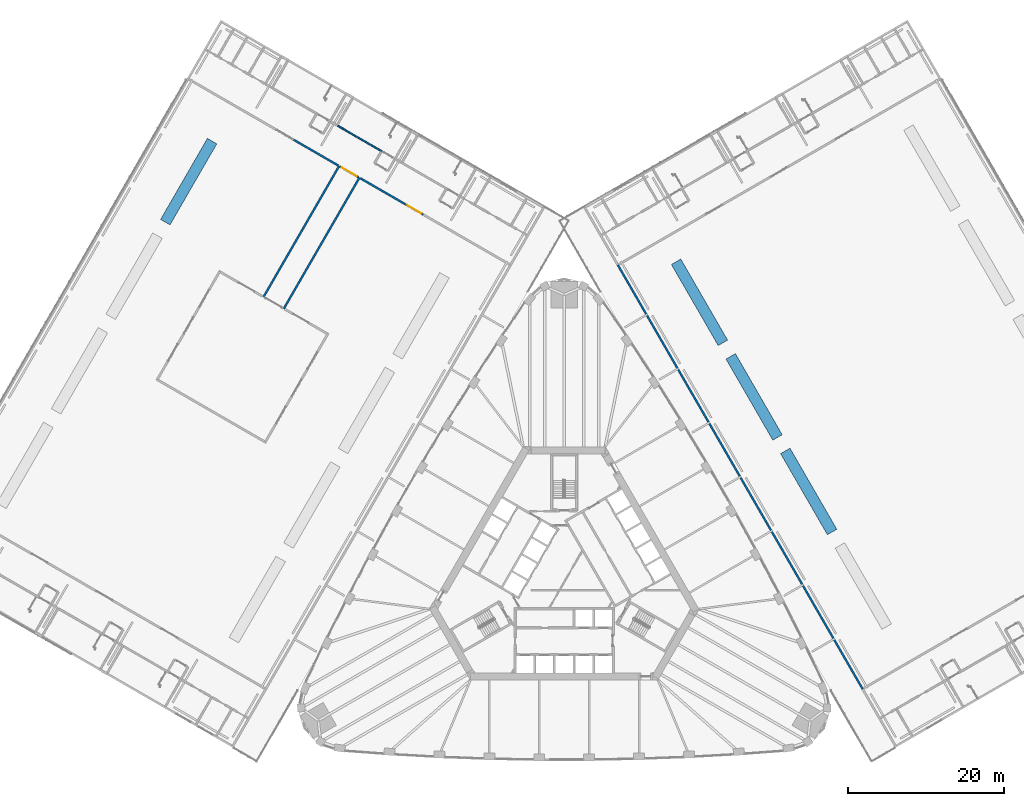
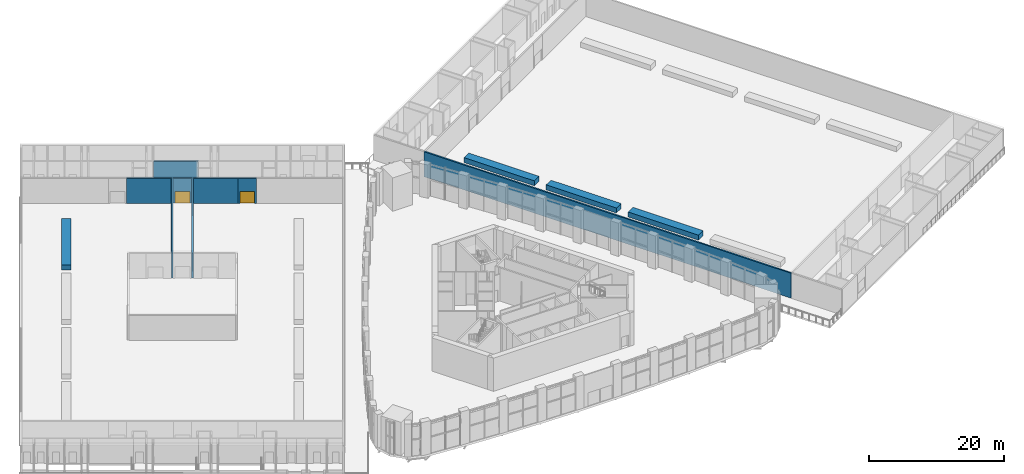
# One storey, part 29 of 41: 12 walls, 2 doors, 2 openings.
"""IFC4 building model written with IfcOpenShell, lengths in metres."""

import ifcopenshell
import ifcopenshell.guid

model = None  # the IFC model being written
_history = None  # IfcOwnerHistory: only IFC2X3 demands one
_inside = {}  # id of a spatial element -> (the spatial element, [elements in it])
_under = {}  # id of a project, library or spatial element -> (it, [spatial elements below it])
_declared = {}  # id of a project -> (the project, [libraries it declares])
_typed = {}  # id of a type object -> (the type object, [elements of that type])
_made_of = {}  # id of a material, layer set ... -> (it, [elements and type objects made of it])


def new_model(schema):
    """Start an empty IFC model of exactly this schema.

    Asked for "IFC4X3", IfcOpenShell would pick the latest addendum, in which some entities
    have other attributes; the version numbers below select the first issue.
    IFC2X3 requires an IfcOwnerHistory on every rooted entity: one is made here for all.
    """
    global model, _history
    if schema == "IFC4X3":
        model = ifcopenshell.file(schema_version=(4, 3, 0, 0))
    else:
        model = ifcopenshell.file(schema=schema)
    _inside.clear()
    _under.clear()
    _declared.clear()
    _typed.clear()
    _made_of.clear()
    _history = None
    if model.schema == "IFC2X3":
        org = make("IfcOrganization", Name="unknown")
        user = make(
            "IfcPersonAndOrganization",
            ThePerson=make("IfcPerson", FamilyName="unknown"),
            TheOrganization=org,
        )
        app = make(
            "IfcApplication",
            ApplicationDeveloper=org,
            Version="unknown",
            ApplicationFullName="unknown",
            ApplicationIdentifier="unknown",
        )
        _history = make(
            "IfcOwnerHistory",
            OwningUser=user,
            OwningApplication=app,
            ChangeAction="ADDED",
            CreationDate=0,
        )
    return model


def make(cls, **values):
    """One entity of the class cls with the attributes given. An attribute that is None is left unset."""
    return model.create_entity(
        cls, **{name: value for name, value in values.items() if value is not None}
    )


def rooted(cls, **values):
    """An entity with a GlobalId (a new one), such as an element, a storey or a relation."""
    return make(cls, GlobalId=ifcopenshell.guid.new(), OwnerHistory=_history, **values)


def si_unit(unit_type, name, prefix=None):
    """IfcSIUnit, for example si_unit("LENGTHUNIT", "METRE", prefix="MILLI")."""
    return make("IfcSIUnit", UnitType=unit_type, Prefix=prefix, Name=name)


def assignment(units):
    """IfcUnitAssignment: the units of a project."""
    return None if units is None else make("IfcUnitAssignment", Units=units)


def point(xyz):
    """IfcCartesianPoint."""
    return None if xyz is None else make("IfcCartesianPoint", Coordinates=xyz)


def direction(xyz):
    """IfcDirection."""
    return None if xyz is None else make("IfcDirection", DirectionRatios=xyz)


def frame(location, z_axis=None, x_axis=None):
    """IfcAxis2Placement3D, a coordinate frame: its origin and axes. An axis left out is left unset."""
    return make(
        "IfcAxis2Placement3D",
        Location=point(location),
        Axis=direction(z_axis),
        RefDirection=direction(x_axis),
    )


def frame_2d(location, x_axis=None):
    """IfcAxis2Placement2D, a coordinate frame in the plane: its origin and x axis."""
    return make(
        "IfcAxis2Placement2D", Location=point(location), RefDirection=direction(x_axis)
    )


def origin():
    """The frame at (0, 0, 0) with its axes left unset."""
    return frame((0.0, 0.0, 0.0))


def place(relative_to, where):
    """IfcLocalPlacement: puts the frame where relative to a parent placement (None: the world)."""
    return make(
        "IfcLocalPlacement", PlacementRelTo=relative_to, RelativePlacement=where
    )


def context(
    kind, dimensions, precision=None, world=None, true_north=None, identifier=None
):
    """IfcGeometricRepresentationContext, for example the 3D "Model" context."""
    return make(
        "IfcGeometricRepresentationContext",
        ContextIdentifier=identifier,
        ContextType=kind,
        CoordinateSpaceDimension=dimensions,
        Precision=precision,
        WorldCoordinateSystem=world,
        TrueNorth=true_north,
    )


def subcontext(parent, identifier, kind, view, scale=None):
    """IfcGeometricRepresentationSubContext, for example "Body" below "Model"."""
    return make(
        "IfcGeometricRepresentationSubContext",
        ContextIdentifier=identifier,
        ContextType=kind,
        ParentContext=parent,
        TargetScale=scale,
        TargetView=view,
    )


def project(units=None, contexts=None):
    """IfcProject with its units and contexts."""
    return rooted(
        "IfcProject",
        Name="project",
        RepresentationContexts=contexts,
        UnitsInContext=assignment(units),
    )


def spatial(cls, under=None, at=None, **own):
    """A site, building, storey or space (cls), placed at a placement, below another one or the project."""
    s = rooted(cls, ObjectPlacement=at, **own)
    if under is not None:
        _under.setdefault(under.id(), (under, []))[1].append(s)
    return s


def profile(cls, at=None, kind="AREA", **sizes):
    """A parametric profile (cls). Its sizes go by their IFC names, for example OverallWidth=200.0."""
    return make(cls, ProfileType=kind, Position=at, **sizes)


def rectangle(**sizes):
    """IfcRectangleProfileDef."""
    return profile("IfcRectangleProfileDef", **sizes)


def extrude(swept, where, along, depth):
    """IfcExtrudedAreaSolid: the profile swept, set in the frame where, extruded along a direction by depth."""
    return make(
        "IfcExtrudedAreaSolid",
        SweptArea=swept,
        Position=where,
        ExtrudedDirection=direction(along),
        Depth=depth,
    )


def shape(context_of_items, identifier, shape_type, items):
    """IfcShapeRepresentation: the items that make up one representation, for example the "Body"."""
    return make(
        "IfcShapeRepresentation",
        ContextOfItems=context_of_items,
        RepresentationIdentifier=identifier,
        RepresentationType=shape_type,
        Items=items,
    )


def material(Name=None, Category=None):
    """IfcMaterial."""
    return make("IfcMaterial", Name=Name, Category=Category)


def layer(
    of_material, thickness, ventilated=None, Name=None, Category=None, Priority=None
):
    """IfcMaterialLayer: one layer of a wall or slab, of a material (None: an air gap)."""
    return make(
        "IfcMaterialLayer",
        Material=of_material,
        LayerThickness=thickness,
        IsVentilated=ventilated,
        Name=Name,
        Category=Category,
        Priority=Priority,
    )


def layer_set(layers, Name=None):
    """IfcMaterialLayerSet."""
    return make("IfcMaterialLayerSet", MaterialLayers=layers, LayerSetName=Name)


def made_of(thing, what):
    """Note that an element or type object is made of a material, layer set ...; save() writes the relation."""
    if what is not None:
        _made_of.setdefault(what.id(), (what, []))[1].append(thing)
    return thing


def type_object(cls, material=None, **own):
    """A type object (cls), such as IfcWallType, which elements share."""
    return made_of(rooted(cls, **own), material)


def element(
    cls,
    number,
    at=None,
    inside=None,
    cuts=None,
    type_object=None,
    material=None,
    context=None,
    identifier="Body",
    shape_type=None,
    held_by="IfcProductDefinitionShape",
    body=None,
    shapes=None,
    **own,
):
    """One element of the class cls, such as IfcWall. Its Tag is "e" and its number.

    at: its placement. inside: the storey or other place that contains it. cuts: it is an
    opening in that element (IfcRelVoidsElement). A single representation is given by context,
    identifier, shape_type and body (its items); several are given by shapes. held_by: the class
    of the entity that holds the representations. save() writes the other relations.
    """
    e = rooted(cls, Tag="e%d" % number, ObjectPlacement=at, **own)
    if body is not None:
        shapes = [shape(context, identifier, shape_type, body)]
    if shapes is not None:
        e.Representation = make(held_by, Representations=shapes)
    if inside is not None:
        _inside.setdefault(inside.id(), (inside, []))[1].append(e)
    if cuts is not None:
        rooted(
            "IfcRelVoidsElement", RelatingBuildingElement=cuts, RelatedOpeningElement=e
        )
    if type_object is not None:
        _typed.setdefault(type_object.id(), (type_object, []))[1].append(e)
    return made_of(e, material)


def fill(opening, filler):
    """IfcRelFillsElement: the door or window that sits in an opening."""
    return rooted(
        "IfcRelFillsElement",
        RelatingOpeningElement=opening,
        RelatedBuildingElement=filler,
    )


def aggregate(whole, parts):
    """IfcRelAggregates: a whole, such as a stair, and the parts it consists of."""
    return rooted("IfcRelAggregates", RelatingObject=whole, RelatedObjects=parts)


def save(model, path):
    """Write the relations noted so far, then the file.

    IfcRelAggregates (storeys below a building ...), IfcRelContainedInSpatialStructure (elements
    in a storey), IfcRelDefinesByType, IfcRelAssociatesMaterial and IfcRelDeclares: one each for
    every whole, place, type object, material and project.
    """
    for whole, parts in _under.values():
        aggregate(whole, parts)
    for where, things in _inside.values():
        rooted(
            "IfcRelContainedInSpatialStructure",
            RelatedElements=things,
            RelatingStructure=where,
        )
    for kind, things in _typed.values():
        rooted("IfcRelDefinesByType", RelatedObjects=things, RelatingType=kind)
    for what, things in _made_of.values():
        rooted("IfcRelAssociatesMaterial", RelatedObjects=things, RelatingMaterial=what)
    for by, libraries in _declared.values():
        rooted("IfcRelDeclares", RelatingContext=by, RelatedDefinitions=libraries)
    model.write(path)


model = new_model("IFC4")

# Units and contexts
model_context = context("Model", 3, precision=1e-05, world=origin(), true_north=direction((0.0, 1.0)))
body_context = subcontext(model_context, "Body", "Model", "MODEL_VIEW")
ifc_project = project(units=[si_unit("LENGTHUNIT", "METRE"), si_unit("AREAUNIT", "SQUARE_METRE"), si_unit("VOLUMEUNIT", "CUBIC_METRE"), si_unit("PLANEANGLEUNIT", "RADIAN"), si_unit("MASSUNIT", "GRAM", prefix="KILO")], contexts=[model_context])

# Site, building, storey
site_placement = place(None, origin())
site = spatial("IfcSite", under=ifc_project, at=site_placement, CompositionType="ELEMENT")
building_placement = place(site_placement, origin())
building = spatial("IfcBuilding", under=site, at=building_placement, Name="Mestral Congress Tower", CompositionType="ELEMENT")
storey_placement = place(building_placement, frame((0.0, 0.0, 21.60009765625)))
storey = spatial("IfcBuildingStorey", under=building, at=storey_placement, Name="L04", CompositionType="ELEMENT", Elevation=21.60009765625)

# Walls
ifc_material_1 = material(Name="Precast concrete C40/50 with limestone facing", Category="masonry")
ifc_layer_1 = layer(ifc_material_1, 0.25)
ifc_layer_set_1 = layer_set([ifc_layer_1], Name="Precast concrete C40/50 with limestone facing")
wall_type_1 = type_object("IfcWallType", Name="Podium external wall 250 R 180 load-bearing to roof", PredefinedType="SOLIDWALL", material=ifc_layer_set_1)
wall_1_placement = place(storey_placement, frame((38.25, -14.14501953125, 0.0), z_axis=(0.0, 0.0, 1.0), x_axis=(-0.500000527961, 0.866025098966, 0.0)))
element("IfcWall", 1, at=wall_1_placement, inside=storey, type_object=wall_type_1, Name="L04 external wall", PredefinedType="SOLIDWALL", context=body_context, shape_type="SweptSolid", body=[
    extrude(rectangle(XDim=62.75, YDim=0.25, at=frame_2d((31.375, 0.0))), origin(), (0.0, 0.0, 1.0), 4.5),
])
for number, where, z_axis, x_axis, name in (
    (2, (-26.25244140625, 51.385498046875, 0.0), (0.0, 0.0, 1.0), (-0.499998778031, -0.866026109287, 0.0), "L04 external wall"),
    (3, (-38.537841796875, 36.106201171875, 0.0), (0.0, 0.0, 1.0), (0.499998778031, 0.866026109287, 0.0), "L04 external wall"),
):
    element("IfcWall", number, at=place(storey_placement, frame(where, z_axis=z_axis, x_axis=x_axis)), inside=storey, type_object=wall_type_1, Name=name, PredefinedType="SOLIDWALL", context=body_context, shape_type="SweptSolid", body=[
        extrude(rectangle(XDim=19.375, YDim=0.25, at=frame_2d((9.6875, 0.0))), origin(), (0.0, 0.0, 1.0), 4.5),
    ])

# Wall, opening, door
wall_2_placement = place(storey_placement, frame((-18.068359375, 46.660400390625, 0.0), z_axis=(0.0, 0.0, 1.0), x_axis=(-0.866019956843, 0.50000943426, 0.0)))
wall_2 = element("IfcWall", 4, at=wall_2_placement, inside=storey, type_object=wall_type_1, Name="L04 external wall", PredefinedType="SOLIDWALL", context=body_context, shape_type="SweptSolid", body=[
    extrude(rectangle(XDim=2.7001953125, YDim=0.25, at=frame_2d((1.35009765625, 0.0))), origin(), (0.0, 0.0, 1.0), 4.5),
])
opening_1_placement = place(wall_2_placement, frame((0.25, 0.0, 0.0)))
opening_1 = element("IfcOpeningElement", 5, at=opening_1_placement, cuts=wall_2, Name="Opening P04-301", PredefinedType="OPENING", context=body_context, shape_type="SweptSolid", body=[
    extrude(rectangle(XDim=2.199951171875, YDim=2.10009765625, at=frame_2d((1.10009765625, 1.050048828125))), frame((0.0, 0.135009765625, 0.0), z_axis=(0.0, -1.0, 0.0), x_axis=(1.0, 0.0, 0.0)), (0.0, 0.0, 1.0), 0.27001953125),
])
ifc_material_2 = material(Name="Steel and glass door set", Category="steel")
door_type_1 = type_object("IfcDoorType", Name="Podium entrance door 2200x2100", OperationType="DOUBLE_DOOR_SINGLE_SWING", PredefinedType="DOOR", material=ifc_material_2)
door_1_placement = place(opening_1_placement, origin())
door_1 = element("IfcDoor", 6, at=door_1_placement, inside=storey, type_object=door_type_1, Name="Door P04-301", OperationType="DOUBLE_DOOR_SINGLE_SWING", OverallHeight=2.10009765625, OverallWidth=2.199951171875, PredefinedType="DOOR", context=body_context, shape_type="SweptSolid", body=[
    extrude(rectangle(XDim=2.199951171875, YDim=2.10009765625, at=frame_2d((1.10009765625, 1.050048828125))), frame((0.0, 0.02490234375, 0.0), z_axis=(0.0, -1.0, 0.0), x_axis=(1.0, 0.0, 0.0)), (0.0, 0.0, 1.0), 0.050048828125),
])
fill(opening_1, door_1)

# Walls
for number, where, z_axis, x_axis, name in (
    (7, (-26.14404296875, 51.322998046875, 0.0), (0.0, 0.0, 1.0), (0.866021116422, -0.500007425856, 0.0), "L04 external wall"),
    (8, (-34.696044921875, 56.260498046875, 0.0), (0.0, 0.0, 1.0), (0.866021116422, -0.500007425856, 0.0), "L04 external wall"),
):
    element("IfcWall", number, at=place(storey_placement, frame(where, z_axis=z_axis, x_axis=x_axis)), inside=storey, type_object=wall_type_1, Name=name, PredefinedType="SOLIDWALL", context=body_context, shape_type="SweptSolid", body=[
        extrude(rectangle(XDim=6.625, YDim=0.25, at=frame_2d((3.3125, 0.0))), origin(), (0.0, 0.0, 1.0), 4.5),
    ])

# Wall, opening, door
ifc_material_3 = material(Name="Fire-rated board partition")
ifc_layer_2 = layer(ifc_material_3, 0.199951171875)
ifc_layer_set_2 = layer_set([ifc_layer_2], Name="Fire-rated board partition")
wall_type_2 = type_object("IfcWallType", Name="Podium partition 200 EI 120", PredefinedType="PARTITIONING", material=ifc_layer_set_2)
wall_3_placement = place(storey_placement, frame((-26.360595703125, 51.447998046875, 0.0), z_axis=(0.0, 0.0, 1.0), x_axis=(-0.866027397988, 0.499996545922, 0.0)))
wall_3 = element("IfcWall", 9, at=wall_3_placement, inside=storey, type_object=wall_type_2, Name="L04 partition", PredefinedType="PARTITIONING", context=body_context, shape_type="SweptSolid", body=[
    extrude(rectangle(XDim=2.75, YDim=0.199951171875, at=frame_2d((1.375, 0.0))), origin(), (0.0, 0.0, 1.0), 4.5),
])
opening_2_placement = place(wall_3_placement, frame((0.27490234375, 0.0, 0.0)))
opening_2 = element("IfcOpeningElement", 10, at=opening_2_placement, cuts=wall_3, Name="Opening P04-332", PredefinedType="OPENING", context=body_context, shape_type="SweptSolid", body=[
    extrude(rectangle(XDim=2.199951171875, YDim=2.10009765625, at=frame_2d((1.10009765625, 1.050048828125))), frame((0.0, 0.10986328125, 0.0), z_axis=(0.0, -1.0, 0.0), x_axis=(1.0, 0.0, 0.0)), (0.0, 0.0, 1.0), 0.219970703125),
])
ifc_material_4 = material(Name="Fire-rated steel door set", Category="steel")
door_type_2 = type_object("IfcDoorType", Name="Podium room door 2200x2100 EI2 30-C5", OperationType="DOUBLE_DOOR_SINGLE_SWING", PredefinedType="DOOR", material=ifc_material_4)
door_2_placement = place(opening_2_placement, origin())
door_2 = element("IfcDoor", 11, at=door_2_placement, inside=storey, type_object=door_type_2, Name="Door P04-332", OperationType="DOUBLE_DOOR_SINGLE_SWING", OverallHeight=2.10009765625, OverallWidth=2.199951171875, PredefinedType="DOOR", context=body_context, shape_type="SweptSolid", body=[
    extrude(rectangle(XDim=2.199951171875, YDim=2.10009765625, at=frame_2d((1.10009765625, 1.050048828125))), frame((0.0, 0.02490234375, 0.0), z_axis=(0.0, -1.0, 0.0), x_axis=(1.0, 0.0, 0.0)), (0.0, 0.0, 1.0), 0.050048828125),
])
fill(opening_2, door_2)

# Walls
ifc_material_5 = material(Name="Precast concrete C30/37 planter", Category="concrete")
ifc_layer_3 = layer(ifc_material_5, 1.39990234375)
ifc_layer_set_3 = layer_set([ifc_layer_3], Name="Precast concrete C30/37 planter")
wall_type_3 = type_object("IfcWallType", Name="Podium planter bed 1400", PredefinedType="SOLIDWALL", material=ifc_layer_set_3)
wall_4_placement = place(storey_placement, frame((34.34326171875, 5.9716796875, 0.0), z_axis=(0.0, 0.0, 1.0), x_axis=(-0.49999894854, 0.866026010844, 0.0)))
element("IfcWall", 12, at=wall_4_placement, inside=storey, type_object=wall_type_3, Name="PLANTER", PredefinedType="SOLIDWALL", context=body_context, shape_type="SweptSolid", body=[
    extrude(rectangle(XDim=12.0, YDim=1.39990234375, at=frame_2d((6.0, 0.0))), origin(), (0.0, 0.0, 1.0), 0.89990234375),
])
wall_5_placement = place(storey_placement, frame((27.34326171875, 18.09619140625, 0.0), z_axis=(0.0, 0.0, 1.0), x_axis=(-0.500007758305, 0.866020924479, 0.0)))
element("IfcWall", 13, at=wall_5_placement, inside=storey, type_object=wall_type_3, Name="PLANTER", PredefinedType="SOLIDWALL", context=body_context, shape_type="SweptSolid", body=[
    extrude(rectangle(XDim=11.999755859375, YDim=1.39990234375, at=frame_2d((6.0, 0.0))), origin(), (0.0, 0.0, 1.0), 0.89990234375),
])
for number, where, z_axis, x_axis, name in (
    (14, (20.34326171875, 30.220458984375, 0.0), (0.0, 0.0, 1.0), (-0.49999894854, 0.866026010844, 0.0), "PLANTER"),
    (15, (-45.134521484375, 56.08056640625, 0.0), (0.0, 0.0, 1.0), (-0.49999894854, -0.866026010844, 0.0), "PLANTER"),
):
    element("IfcWall", number, at=place(storey_placement, frame(where, z_axis=z_axis, x_axis=x_axis)), inside=storey, type_object=wall_type_3, Name=name, PredefinedType="SOLIDWALL", context=body_context, shape_type="SweptSolid", body=[
        extrude(rectangle(XDim=12.0, YDim=1.39990234375, at=frame_2d((6.0, 0.0))), origin(), (0.0, 0.0, 1.0), 0.89990234375),
    ])
ifc_material_6 = material(Name="Masonry block wall", Category="masonry")
ifc_layer_4 = layer(ifc_material_6, 0.199951171875)
ifc_layer_set_4 = layer_set([ifc_layer_4], Name="Masonry block wall")
wall_type_4 = type_object("IfcWallType", Name="Podium stair enclosure wall 200 EI 120 load-bearing", PredefinedType="SOLIDWALL", material=ifc_layer_set_4)
wall_6_placement = place(storey_placement, frame((-23.285400390625, 54.724365234375, 0.0), z_axis=(0.0, 0.0, 1.0), x_axis=(-0.866027239912, 0.49999681972, 0.0)))
element("IfcWall", 16, at=wall_6_placement, inside=storey, type_object=wall_type_4, Name="L04 partition", PredefinedType="SOLIDWALL", context=body_context, shape_type="SweptSolid", body=[
    extrude(rectangle(XDim=6.64990234375, YDim=0.199951171875, at=frame_2d((3.324951171875, 0.0))), origin(), (0.0, 0.0, 1.0), 4.5),
])

save(model, "model.ifc")
